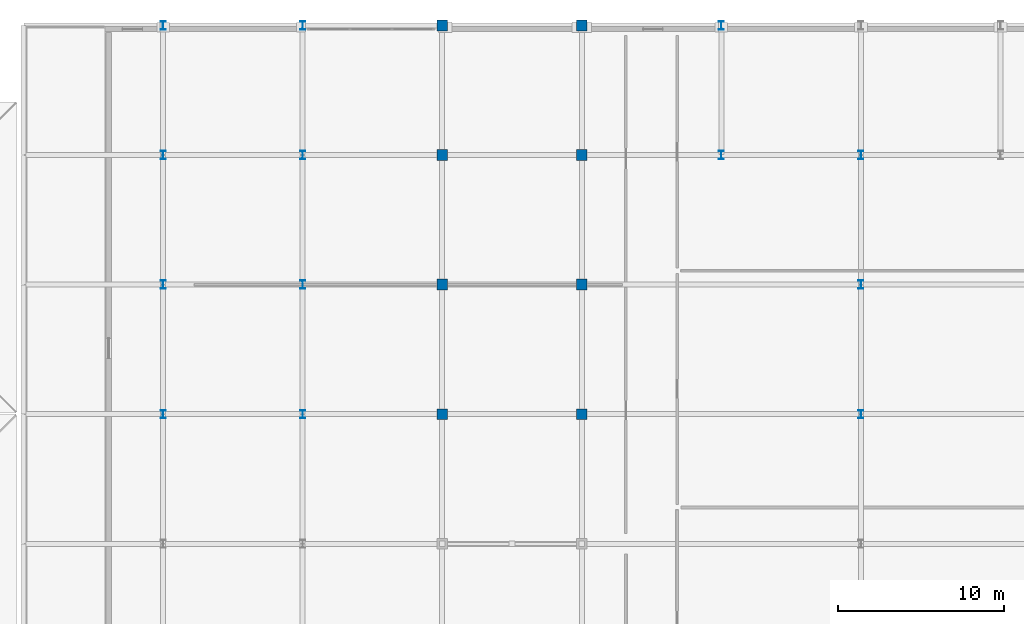
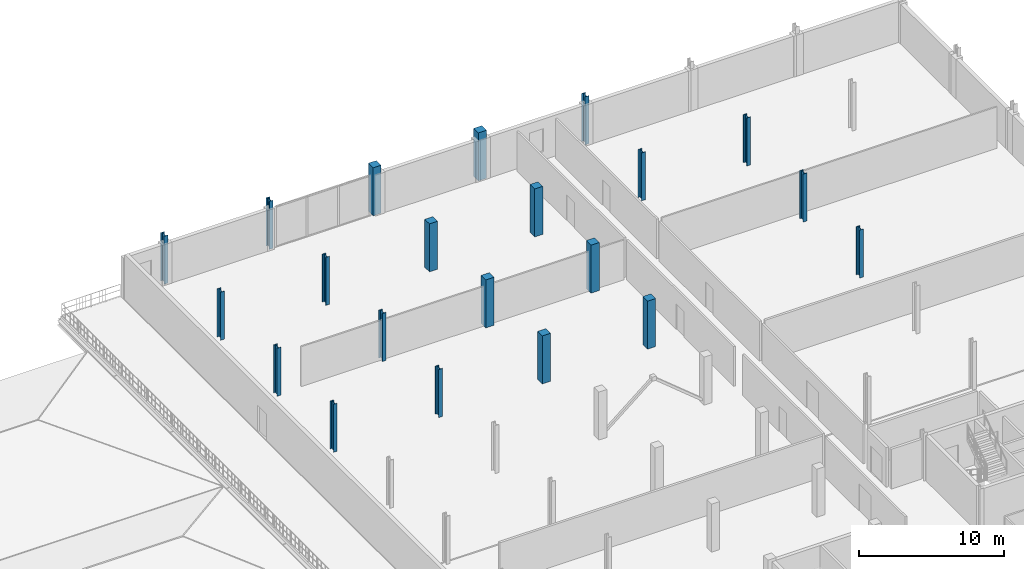
# One storey, part 16 of 77: 21 columns.
"""IFC4 building model written with IfcOpenShell, lengths in metres."""

from ifc_helpers import new_model, si_unit, direction, frame, origin, origin_2d, place, context, subcontext, project, spatial, rectangle, i_section, extrude, material, material_profile, profile_set, type_object, element, save


model = new_model("IFC4")

# Units and contexts
model_context = context("Model", 3, precision=1e-05, world=origin(), true_north=direction((0.0, 1.0)))
body_context = subcontext(model_context, "Body", "Model", "MODEL_VIEW")
ifc_project = project(units=[si_unit("LENGTHUNIT", "METRE"), si_unit("AREAUNIT", "SQUARE_METRE"), si_unit("VOLUMEUNIT", "CUBIC_METRE"), si_unit("PLANEANGLEUNIT", "RADIAN"), si_unit("MASSUNIT", "GRAM", prefix="KILO")], contexts=[model_context])

# Site, building, storey
site_placement = place(None, origin())
site = spatial("IfcSite", under=ifc_project, at=site_placement, CompositionType="ELEMENT")
building_placement = place(site_placement, origin())
building = spatial("IfcBuilding", under=site, at=building_placement, Name="Nabrawat Pavilion Hospital", CompositionType="ELEMENT")
storey_placement = place(building_placement, frame((0.0, 0.0, 14.85009765625)))
storey = spatial("IfcBuildingStorey", under=building, at=storey_placement, Name="L03", CompositionType="ELEMENT", Elevation=14.85009765625)

# Columns
ifc_material_1 = material(Name="Steel S355", Category="steel")
ifc_material_profile_1 = material_profile(ifc_material_1, i_section(OverallWidth=0.300048828125, OverallDepth=0.5, WebThickness=0.014404296875, FlangeThickness=0.028076171875, FilletRadius=0.027099609375, at=origin_2d()), Name="HEB 500")
ifc_profile_set_1 = profile_set([ifc_material_profile_1], Name="Steel S355")
column_type_1 = type_object("IfcColumnType", Name="Composite Steel Column HEB 500", PredefinedType="COLUMN", material=ifc_profile_set_1)
for number, where, z_axis, x_axis, name in (
    (1, (134.39990234375, 101.39990234375, 0.0), (0.0, 0.0, 1.0), (1.0, 0.0, 0.0), "L03 Structural Column G-17-P"),
    (2, (134.39990234375, 109.199951171875, 0.0), (0.0, 0.0, 1.0), (1.0, 0.0, 0.0), "L03 Structural Column G-17-Q"),
    (3, (134.39990234375, 117.0, 0.0), (0.0, 0.0, 1.0), (1.0, 0.0, 0.0), "L03 Structural Column G-17-R"),
    (4, (134.39990234375, 124.800048828125, 0.0), (0.0, 0.0, 1.0), (1.0, 0.0, 0.0), "L03 Structural Column G-17-S"),
    (5, (142.800048828125, 101.39990234375, 0.0), (0.0, 0.0, 1.0), (1.0, 0.0, 0.0), "L03 Structural Column G-18-P"),
    (6, (142.800048828125, 109.199951171875, 0.0), (0.0, 0.0, 1.0), (1.0, 0.0, 0.0), "L03 Structural Column G-18-Q"),
    (7, (142.800048828125, 117.0, 0.0), (0.0, 0.0, 1.0), (1.0, 0.0, 0.0), "L03 Structural Column G-18-R"),
    (8, (142.800048828125, 124.800048828125, 0.0), (0.0, 0.0, 1.0), (1.0, 0.0, 0.0), "L03 Structural Column G-18-S"),
    (9, (168.0, 117.0, 0.0), (0.0, 0.0, 1.0), (1.0, 0.0, 0.0), "L03 Structural Column G-21-R"),
    (10, (168.0, 124.800048828125, 0.0), (0.0, 0.0, 1.0), (1.0, 0.0, 0.0), "L03 Structural Column G-21-S"),
    (11, (176.39990234375, 101.39990234375, 0.0), (0.0, 0.0, 1.0), (1.0, 0.0, 0.0), "L03 Structural Column G-22-P"),
    (12, (176.39990234375, 109.199951171875, 0.0), (0.0, 0.0, 1.0), (1.0, 0.0, 0.0), "L03 Structural Column G-22-Q"),
    (13, (176.39990234375, 117.0, 0.0), (0.0, 0.0, 1.0), (1.0, 0.0, 0.0), "L03 Structural Column G-22-R"),
):
    element("IfcColumn", number, at=place(storey_placement, frame(where, z_axis=z_axis, x_axis=x_axis)), inside=storey, type_object=column_type_1, Name=name, PredefinedType="COLUMN", context=body_context, shape_type="SweptSolid", body=[
        extrude(i_section(OverallWidth=0.300048828125, OverallDepth=0.5, WebThickness=0.014404296875, FlangeThickness=0.028076171875, FilletRadius=0.027099609375, at=origin_2d()), origin(), (0.0, 0.0, 1.0), 4.0498046875),
    ])
ifc_material_2 = material(Name="Concrete C40/50", Category="concrete")
ifc_material_profile_2 = material_profile(ifc_material_2, rectangle(XDim=0.64990234375, YDim=0.64990234375, at=origin_2d()), Name="RC 650x650")
ifc_profile_set_2 = profile_set([ifc_material_profile_2], Name="Concrete C40/50")
column_type_2 = type_object("IfcColumnType", Name="Outpatient RC Column 650x650", PredefinedType="COLUMN", material=ifc_profile_set_2)
for number, where, z_axis, x_axis, name in (
    (14, (151.199951171875, 101.39990234375, 0.0), (0.0, 0.0, 1.0), (1.0, 0.0, 0.0), "L03 Structural Column G-19-P"),
    (15, (151.199951171875, 109.199951171875, 0.0), (0.0, 0.0, 1.0), (1.0, 0.0, 0.0), "L03 Structural Column G-19-Q"),
    (16, (151.199951171875, 117.0, 0.0), (0.0, 0.0, 1.0), (1.0, 0.0, 0.0), "L03 Structural Column G-19-R"),
    (17, (151.199951171875, 124.800048828125, 0.0), (0.0, 0.0, 1.0), (1.0, 0.0, 0.0), "L03 Structural Column G-19-S"),
    (18, (159.60009765625, 101.39990234375, 0.0), (0.0, 0.0, 1.0), (1.0, 0.0, 0.0), "L03 Structural Column G-20-P"),
    (19, (159.60009765625, 109.199951171875, 0.0), (0.0, 0.0, 1.0), (1.0, 0.0, 0.0), "L03 Structural Column G-20-Q"),
    (20, (159.60009765625, 117.0, 0.0), (0.0, 0.0, 1.0), (1.0, 0.0, 0.0), "L03 Structural Column G-20-R"),
    (21, (159.60009765625, 124.800048828125, 0.0), (0.0, 0.0, 1.0), (1.0, 0.0, 0.0), "L03 Structural Column G-20-S"),
):
    element("IfcColumn", number, at=place(storey_placement, frame(where, z_axis=z_axis, x_axis=x_axis)), inside=storey, type_object=column_type_2, Name=name, PredefinedType="COLUMN", context=body_context, shape_type="SweptSolid", body=[
        extrude(rectangle(XDim=0.64990234375, YDim=0.64990234375, at=origin_2d()), origin(), (0.0, 0.0, 1.0), 4.0498046875),
    ])

save(model, "model.ifc")
